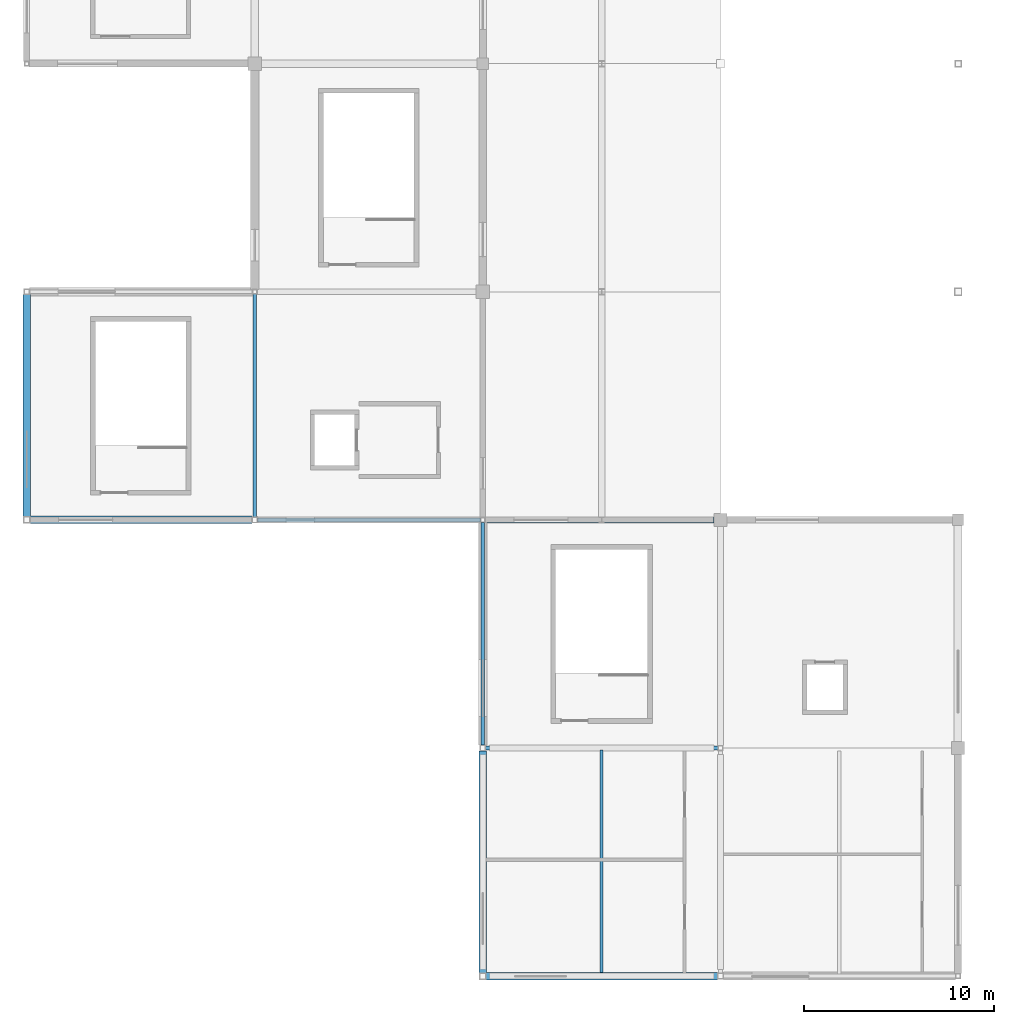
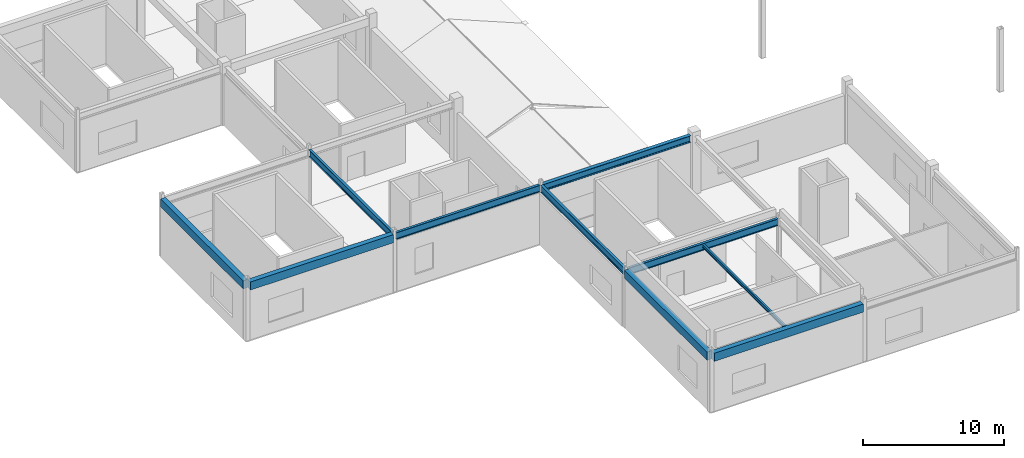
# One storey, part 25 of 76: 10 beams.
"""IFC4 building model written with IfcOpenShell, lengths in metres."""

from ifc_helpers import new_model, si_unit, direction, frame, origin, origin_2d, place, context, subcontext, project, spatial, rectangle, i_section, extrude, material, material_profile, profile_set, type_object, element, save


model = new_model("IFC4")

# Units and contexts
model_context = context("Model", 3, precision=1e-05, world=origin(), true_north=direction((0.0, 1.0)))
body_context = subcontext(model_context, "Body", "Model", "MODEL_VIEW")
ifc_project = project(units=[si_unit("LENGTHUNIT", "METRE"), si_unit("AREAUNIT", "SQUARE_METRE"), si_unit("VOLUMEUNIT", "CUBIC_METRE"), si_unit("PLANEANGLEUNIT", "RADIAN"), si_unit("MASSUNIT", "GRAM", prefix="KILO")], contexts=[model_context])

# Site, building, storey
site_placement = place(None, origin())
site = spatial("IfcSite", under=ifc_project, at=site_placement, CompositionType="ELEMENT")
building_placement = place(site_placement, origin())
building = spatial("IfcBuilding", under=site, at=building_placement, Name="Kazenohara Klinker Stadium", CompositionType="ELEMENT")
storey_placement = place(building_placement, frame((0.0, 0.0, 25.800048828125)))
storey = spatial("IfcBuildingStorey", under=building, at=storey_placement, Name="L05", CompositionType="ELEMENT", Elevation=25.800048828125)

# Beams
ifc_material_1 = material(Name="Steel S355", Category="steel")
ifc_material_profile_1 = material_profile(ifc_material_1, i_section(OverallWidth=0.14990234375, OverallDepth=0.300048828125, WebThickness=0.006591796875, FlangeThickness=0.009033203125, FilletRadius=0.012939453125, at=origin_2d()), Name="H-300x150x6.5x9")
ifc_profile_set_1 = profile_set([ifc_material_profile_1], Name="Steel S355")
beam_type_1 = type_object("IfcBeamType", Name="BM-JST05", PredefinedType="JOIST", material=ifc_profile_set_1)
beam_1_placement = place(storey_placement, frame((30.25, 12.199951171875, 4.889892578125), z_axis=(0.0, 1.0, 0.0), x_axis=(-1.0, 0.0, 0.0)))
element("IfcBeam", 1, at=beam_1_placement, inside=storey, type_object=beam_type_1, Name="Secondary floor joist SJ05 L05 3/B", PredefinedType="JOIST", context=body_context, shape_type="SweptSolid", body=[
    extrude(i_section(OverallWidth=0.14990234375, OverallDepth=0.300048828125, WebThickness=0.006591796875, FlangeThickness=0.009033203125, FilletRadius=0.012939453125, at=origin_2d()), origin(), (0.0, 0.0, 1.0), 11.699951171875),
])
ifc_material_2 = material(Name="Concrete C40/50", Category="concrete")
ifc_material_profile_2 = material_profile(ifc_material_2, rectangle(XDim=0.39990234375, YDim=0.699951171875, at=origin_2d()), Name="RC-BM-400x700")
ifc_profile_set_2 = profile_set([ifc_material_profile_2], Name="Concrete C40/50")
beam_type_2 = type_object("IfcBeamType", Name="BM-RC04", PredefinedType="BEAM", material=ifc_profile_set_2)
beam_2_placement = place(storey_placement, frame((0.175048828125, 36.0, 4.68994140625), z_axis=(1.0, 0.0, 0.0), x_axis=(0.0, 1.0, 0.0)))
element("IfcBeam", 2, at=beam_2_placement, inside=storey, type_object=beam_type_2, Name="Primary girder BG04 L05 1-2/D", PredefinedType="BEAM", context=body_context, shape_type="SweptSolid", body=[
    extrude(rectangle(XDim=0.39990234375, YDim=0.699951171875, at=origin_2d()), origin(), (0.0, 0.0, 1.0), 11.675048828125),
])
beam_3_placement = place(storey_placement, frame((24.175048828125, 12.0, 4.68994140625), z_axis=(1.0, 0.0, 0.0), x_axis=(0.0, 1.0, 0.0)))
element("IfcBeam", 3, at=beam_3_placement, inside=storey, type_object=beam_type_2, Name="Primary girder BG04 L05 3-4/B", PredefinedType="BEAM", context=body_context, shape_type="SweptSolid", body=[
    extrude(rectangle(XDim=0.39990234375, YDim=0.699951171875, at=origin_2d()), origin(), (0.0, 0.0, 1.0), 12.175048828125),
])
for number, where, z_axis, x_axis, name in (
    (4, (0.0, 36.175048828125, 4.68994140625), (0.0, 1.0, 0.0), (-1.0, 0.0, 0.0), "Primary girder BG04 L05 1/D-E"),
    (5, (24.0, 12.175048828125, 4.68994140625), (0.0, 1.0, 0.0), (-1.0, 0.0, 0.0), "Primary girder BG04 L05 3/B-C"),
):
    element("IfcBeam", number, at=place(storey_placement, frame(where, z_axis=z_axis, x_axis=x_axis)), inside=storey, type_object=beam_type_2, Name=name, PredefinedType="BEAM", context=body_context, shape_type="SweptSolid", body=[
        extrude(rectangle(XDim=0.39990234375, YDim=0.699951171875, at=origin_2d()), origin(), (0.0, 0.0, 1.0), 11.675048828125),
    ])
ifc_material_profile_3 = material_profile(ifc_material_1, i_section(OverallWidth=0.199951171875, OverallDepth=0.60009765625, WebThickness=0.010986328125, FlangeThickness=0.01708984375, FilletRadius=0.012939453125, at=origin_2d()), Name="H-600x200x11x17")
ifc_profile_set_3 = profile_set([ifc_material_profile_3], Name="Steel S355")
beam_type_3 = type_object("IfcBeamType", Name="BM-ST04", PredefinedType="BEAM", material=ifc_profile_set_3)
beam_4_placement = place(storey_placement, frame((12.14990234375, 36.0, 4.739990234375), z_axis=(1.0, 0.0, 0.0), x_axis=(0.0, 1.0, 0.0)))
element("IfcBeam", 6, at=beam_4_placement, inside=storey, type_object=beam_type_3, Name="Primary girder SB04 L05 2-3/D", PredefinedType="BEAM", context=body_context, shape_type="SweptSolid", body=[
    extrude(i_section(OverallWidth=0.199951171875, OverallDepth=0.60009765625, WebThickness=0.010986328125, FlangeThickness=0.01708984375, FilletRadius=0.012939453125, at=origin_2d()), origin(), (0.0, 0.0, 1.0), 11.72509765625),
])
beam_5_placement = place(storey_placement, frame((24.14990234375, 24.0, 4.739990234375), z_axis=(1.0, 0.0, 0.0), x_axis=(0.0, 1.0, 0.0)))
element("IfcBeam", 7, at=beam_5_placement, inside=storey, type_object=beam_type_3, Name="Primary girder SB04 L05 3-4/C", PredefinedType="BEAM", context=body_context, shape_type="SweptSolid", body=[
    extrude(i_section(OverallWidth=0.199951171875, OverallDepth=0.60009765625, WebThickness=0.010986328125, FlangeThickness=0.01708984375, FilletRadius=0.012939453125, at=origin_2d()), origin(), (0.0, 0.0, 1.0), 12.22509765625),
])
for number, where, z_axis, x_axis, name in (
    (8, (12.0, 36.14990234375, 4.739990234375), (0.0, 1.0, 0.0), (-1.0, 0.0, 0.0), "Primary girder SB04 L05 2/D-E"),
    (9, (24.0, 24.14990234375, 4.739990234375), (0.0, 1.0, 0.0), (-1.0, 0.0, 0.0), "Primary girder SB04 L05 3/C-D"),
):
    element("IfcBeam", number, at=place(storey_placement, frame(where, z_axis=z_axis, x_axis=x_axis)), inside=storey, type_object=beam_type_3, Name=name, PredefinedType="BEAM", context=body_context, shape_type="SweptSolid", body=[
        extrude(i_section(OverallWidth=0.199951171875, OverallDepth=0.60009765625, WebThickness=0.010986328125, FlangeThickness=0.01708984375, FilletRadius=0.012939453125, at=origin_2d()), origin(), (0.0, 0.0, 1.0), 11.72509765625),
    ])
ifc_material_profile_4 = material_profile(ifc_material_1, i_section(OverallWidth=0.300048828125, OverallDepth=0.587890625, WebThickness=0.011962890625, FlangeThickness=0.02001953125, FilletRadius=0.02197265625, at=origin_2d()), Name="H-588x300x12x20")
ifc_profile_set_4 = profile_set([ifc_material_profile_4], Name="Steel S355")
beam_type_4 = type_object("IfcBeamType", Name="BM-ST05", PredefinedType="BEAM", material=ifc_profile_set_4)
beam_6_placement = place(storey_placement, frame((24.125, 36.0, 4.745849609375), z_axis=(1.0, 0.0, 0.0), x_axis=(0.0, 1.0, 0.0)))
element("IfcBeam", 10, at=beam_6_placement, inside=storey, type_object=beam_type_4, Name="Primary girder SB05 L05 3-4/D", PredefinedType="BEAM", context=body_context, shape_type="SweptSolid", body=[
    extrude(i_section(OverallWidth=0.300048828125, OverallDepth=0.587890625, WebThickness=0.011962890625, FlangeThickness=0.02001953125, FilletRadius=0.02197265625, at=origin_2d()), origin(), (0.0, 0.0, 1.0), 12.02490234375),
])

save(model, "model.ifc")
